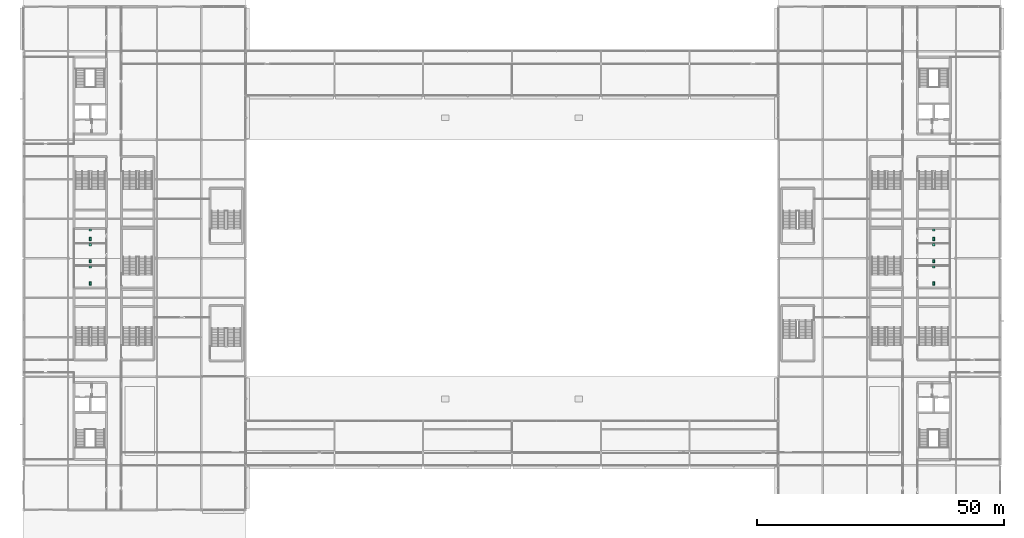
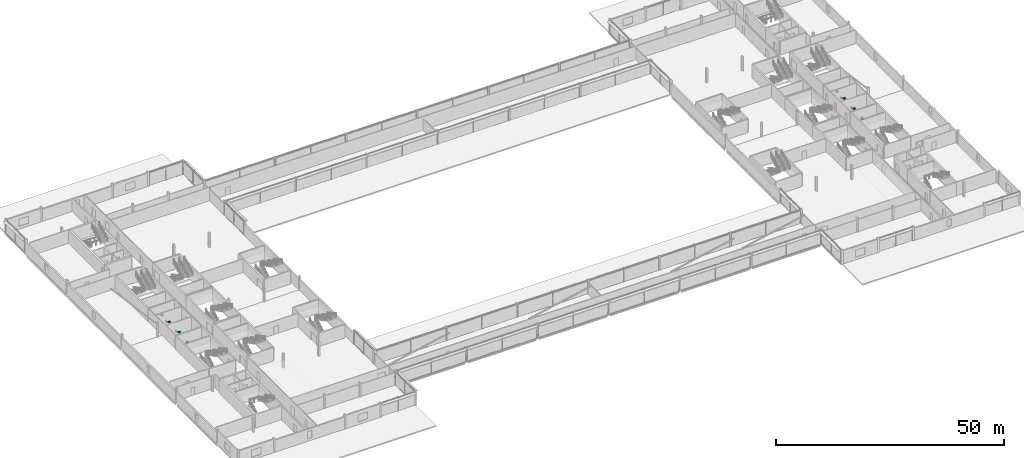
# One storey, part 105 of 105: 12 sanitary terminals.
"""IFC4 building model written with IfcOpenShell, lengths in metres."""

import ifcopenshell
import ifcopenshell.guid

model = None  # the IFC model being written
_history = None  # IfcOwnerHistory: only IFC2X3 demands one
_inside = {}  # id of a spatial element -> (the spatial element, [elements in it])
_under = {}  # id of a project, library or spatial element -> (it, [spatial elements below it])
_declared = {}  # id of a project -> (the project, [libraries it declares])
_typed = {}  # id of a type object -> (the type object, [elements of that type])
_made_of = {}  # id of a material, layer set ... -> (it, [elements and type objects made of it])


def new_model(schema):
    """Start an empty IFC model of exactly this schema.

    Asked for "IFC4X3", IfcOpenShell would pick the latest addendum, in which some entities
    have other attributes; the version numbers below select the first issue.
    IFC2X3 requires an IfcOwnerHistory on every rooted entity: one is made here for all.
    """
    global model, _history
    if schema == "IFC4X3":
        model = ifcopenshell.file(schema_version=(4, 3, 0, 0))
    else:
        model = ifcopenshell.file(schema=schema)
    _inside.clear()
    _under.clear()
    _declared.clear()
    _typed.clear()
    _made_of.clear()
    _history = None
    if model.schema == "IFC2X3":
        org = make("IfcOrganization", Name="unknown")
        user = make(
            "IfcPersonAndOrganization",
            ThePerson=make("IfcPerson", FamilyName="unknown"),
            TheOrganization=org,
        )
        app = make(
            "IfcApplication",
            ApplicationDeveloper=org,
            Version="unknown",
            ApplicationFullName="unknown",
            ApplicationIdentifier="unknown",
        )
        _history = make(
            "IfcOwnerHistory",
            OwningUser=user,
            OwningApplication=app,
            ChangeAction="ADDED",
            CreationDate=0,
        )
    return model


def make(cls, **values):
    """One entity of the class cls with the attributes given. An attribute that is None is left unset."""
    return model.create_entity(
        cls, **{name: value for name, value in values.items() if value is not None}
    )


def rooted(cls, **values):
    """An entity with a GlobalId (a new one), such as an element, a storey or a relation."""
    return make(cls, GlobalId=ifcopenshell.guid.new(), OwnerHistory=_history, **values)


def si_unit(unit_type, name, prefix=None):
    """IfcSIUnit, for example si_unit("LENGTHUNIT", "METRE", prefix="MILLI")."""
    return make("IfcSIUnit", UnitType=unit_type, Prefix=prefix, Name=name)


def assignment(units):
    """IfcUnitAssignment: the units of a project."""
    return None if units is None else make("IfcUnitAssignment", Units=units)


def point(xyz):
    """IfcCartesianPoint."""
    return None if xyz is None else make("IfcCartesianPoint", Coordinates=xyz)


def direction(xyz):
    """IfcDirection."""
    return None if xyz is None else make("IfcDirection", DirectionRatios=xyz)


def frame(location, z_axis=None, x_axis=None):
    """IfcAxis2Placement3D, a coordinate frame: its origin and axes. An axis left out is left unset."""
    return make(
        "IfcAxis2Placement3D",
        Location=point(location),
        Axis=direction(z_axis),
        RefDirection=direction(x_axis),
    )


def frame_2d(location, x_axis=None):
    """IfcAxis2Placement2D, a coordinate frame in the plane: its origin and x axis."""
    return make(
        "IfcAxis2Placement2D", Location=point(location), RefDirection=direction(x_axis)
    )


def origin():
    """The frame at (0, 0, 0) with its axes left unset."""
    return frame((0.0, 0.0, 0.0))


def origin_2d():
    """The frame at (0, 0) in the plane with its x axis left unset."""
    return frame_2d((0.0, 0.0))


def place(relative_to, where):
    """IfcLocalPlacement: puts the frame where relative to a parent placement (None: the world)."""
    return make(
        "IfcLocalPlacement", PlacementRelTo=relative_to, RelativePlacement=where
    )


def context(
    kind, dimensions, precision=None, world=None, true_north=None, identifier=None
):
    """IfcGeometricRepresentationContext, for example the 3D "Model" context."""
    return make(
        "IfcGeometricRepresentationContext",
        ContextIdentifier=identifier,
        ContextType=kind,
        CoordinateSpaceDimension=dimensions,
        Precision=precision,
        WorldCoordinateSystem=world,
        TrueNorth=true_north,
    )


def subcontext(parent, identifier, kind, view, scale=None):
    """IfcGeometricRepresentationSubContext, for example "Body" below "Model"."""
    return make(
        "IfcGeometricRepresentationSubContext",
        ContextIdentifier=identifier,
        ContextType=kind,
        ParentContext=parent,
        TargetScale=scale,
        TargetView=view,
    )


def project(units=None, contexts=None):
    """IfcProject with its units and contexts."""
    return rooted(
        "IfcProject",
        Name="project",
        RepresentationContexts=contexts,
        UnitsInContext=assignment(units),
    )


def spatial(cls, under=None, at=None, **own):
    """A site, building, storey or space (cls), placed at a placement, below another one or the project."""
    s = rooted(cls, ObjectPlacement=at, **own)
    if under is not None:
        _under.setdefault(under.id(), (under, []))[1].append(s)
    return s


def profile(cls, at=None, kind="AREA", **sizes):
    """A parametric profile (cls). Its sizes go by their IFC names, for example OverallWidth=200.0."""
    return make(cls, ProfileType=kind, Position=at, **sizes)


def rectangle(**sizes):
    """IfcRectangleProfileDef."""
    return profile("IfcRectangleProfileDef", **sizes)


def extrude(swept, where, along, depth):
    """IfcExtrudedAreaSolid: the profile swept, set in the frame where, extruded along a direction by depth."""
    return make(
        "IfcExtrudedAreaSolid",
        SweptArea=swept,
        Position=where,
        ExtrudedDirection=direction(along),
        Depth=depth,
    )


def shape(context_of_items, identifier, shape_type, items):
    """IfcShapeRepresentation: the items that make up one representation, for example the "Body"."""
    return make(
        "IfcShapeRepresentation",
        ContextOfItems=context_of_items,
        RepresentationIdentifier=identifier,
        RepresentationType=shape_type,
        Items=items,
    )


def material(Name=None, Category=None):
    """IfcMaterial."""
    return make("IfcMaterial", Name=Name, Category=Category)


def made_of(thing, what):
    """Note that an element or type object is made of a material, layer set ...; save() writes the relation."""
    if what is not None:
        _made_of.setdefault(what.id(), (what, []))[1].append(thing)
    return thing


def type_object(cls, material=None, **own):
    """A type object (cls), such as IfcWallType, which elements share."""
    return made_of(rooted(cls, **own), material)


def element(
    cls,
    number,
    at=None,
    inside=None,
    cuts=None,
    type_object=None,
    material=None,
    context=None,
    identifier="Body",
    shape_type=None,
    held_by="IfcProductDefinitionShape",
    body=None,
    shapes=None,
    **own,
):
    """One element of the class cls, such as IfcWall. Its Tag is "e" and its number.

    at: its placement. inside: the storey or other place that contains it. cuts: it is an
    opening in that element (IfcRelVoidsElement). A single representation is given by context,
    identifier, shape_type and body (its items); several are given by shapes. held_by: the class
    of the entity that holds the representations. save() writes the other relations.
    """
    e = rooted(cls, Tag="e%d" % number, ObjectPlacement=at, **own)
    if body is not None:
        shapes = [shape(context, identifier, shape_type, body)]
    if shapes is not None:
        e.Representation = make(held_by, Representations=shapes)
    if inside is not None:
        _inside.setdefault(inside.id(), (inside, []))[1].append(e)
    if cuts is not None:
        rooted(
            "IfcRelVoidsElement", RelatingBuildingElement=cuts, RelatedOpeningElement=e
        )
    if type_object is not None:
        _typed.setdefault(type_object.id(), (type_object, []))[1].append(e)
    return made_of(e, material)


def aggregate(whole, parts):
    """IfcRelAggregates: a whole, such as a stair, and the parts it consists of."""
    return rooted("IfcRelAggregates", RelatingObject=whole, RelatedObjects=parts)


def save(model, path):
    """Write the relations noted so far, then the file.

    IfcRelAggregates (storeys below a building ...), IfcRelContainedInSpatialStructure (elements
    in a storey), IfcRelDefinesByType, IfcRelAssociatesMaterial and IfcRelDeclares: one each for
    every whole, place, type object, material and project.
    """
    for whole, parts in _under.values():
        aggregate(whole, parts)
    for where, things in _inside.values():
        rooted(
            "IfcRelContainedInSpatialStructure",
            RelatedElements=things,
            RelatingStructure=where,
        )
    for kind, things in _typed.values():
        rooted("IfcRelDefinesByType", RelatedObjects=things, RelatingType=kind)
    for what, things in _made_of.values():
        rooted("IfcRelAssociatesMaterial", RelatedObjects=things, RelatingMaterial=what)
    for by, libraries in _declared.values():
        rooted("IfcRelDeclares", RelatingContext=by, RelatedDefinitions=libraries)
    model.write(path)


model = new_model("IFC4")

# Units and contexts
model_context = context("Model", 3, precision=1e-05, world=origin(), true_north=direction((0.0, 1.0)))
body_context = subcontext(model_context, "Body", "Model", "MODEL_VIEW")
ifc_project = project(units=[si_unit("LENGTHUNIT", "METRE"), si_unit("AREAUNIT", "SQUARE_METRE"), si_unit("VOLUMEUNIT", "CUBIC_METRE"), si_unit("PLANEANGLEUNIT", "RADIAN"), si_unit("MASSUNIT", "GRAM", prefix="KILO")], contexts=[model_context])

# Site, building, storey
site_placement = place(None, origin())
site = spatial("IfcSite", under=ifc_project, at=site_placement, CompositionType="ELEMENT")
building_placement = place(site_placement, origin())
building = spatial("IfcBuilding", under=site, at=building_placement, Name="Kisiwana Market Hall", CompositionType="ELEMENT")
storey_placement = place(building_placement, frame((0.0, 0.0, 21.60009765625)))
storey = spatial("IfcBuildingStorey", under=building, at=storey_placement, Name="L04", CompositionType="ELEMENT", Elevation=21.60009765625)

# Sanitary terminals
ifc_material_1 = material(Name="Vitreous china")
sanitary_terminal_type_1 = type_object("IfcSanitaryTerminalType", Name="SAN-BASIN", PredefinedType="WASHHANDBASIN", material=ifc_material_1)
for number, where, z_axis, x_axis, name in (
    (1, (13.5, 58.25, 0.6796875), (0.0, 0.0, 1.0), (1.0, 0.0, 0.0), "Washhand basin L04-0031"),
    (2, (13.5, 62.75, 0.6796875), (0.0, 0.0, 1.0), (1.0, 0.0, 0.0), "Washhand basin L04-0032"),
    (3, (13.5, 65.75, 0.6796875), (0.0, 0.0, 1.0), (1.0, 0.0, 0.0), "Washhand basin L04-0033"),
    (4, (184.5, 58.25, 0.6796875), (0.0, 0.0, 1.0), (1.0, 0.0, 0.0), "Washhand basin L04-0034"),
    (5, (184.5, 62.75, 0.6796875), (0.0, 0.0, 1.0), (1.0, 0.0, 0.0), "Washhand basin L04-0035"),
    (6, (184.5, 65.75, 0.6796875), (0.0, 0.0, 1.0), (1.0, 0.0, 0.0), "Washhand basin L04-0036"),
):
    element("IfcSanitaryTerminal", number, at=place(storey_placement, frame(where, z_axis=z_axis, x_axis=x_axis)), inside=storey, type_object=sanitary_terminal_type_1, Name=name, PredefinedType="WASHHANDBASIN", context=body_context, shape_type="SweptSolid", body=[
        extrude(rectangle(XDim=0.550048828125, YDim=0.449951171875, at=origin_2d()), origin(), (0.0, 0.0, 1.0), 0.199951171875),
    ])
ifc_material_2 = material(Name="Vitreous china")
sanitary_terminal_type_2 = type_object("IfcSanitaryTerminalType", Name="SAN-WC-PAN", PredefinedType="TOILETPAN", material=ifc_material_2)
for number, where, z_axis, x_axis, name in (
    (7, (13.5, 54.89990234375, 0.0), (0.0, 0.0, 1.0), (1.0, 0.0, 0.0), "WC pan L04-0031"),
    (8, (13.5, 59.39990234375, 0.0), (0.0, 0.0, 1.0), (1.0, 0.0, 0.0), "WC pan L04-0032"),
    (9, (13.5, 63.89990234375, 0.0), (0.0, 0.0, 1.0), (1.0, 0.0, 0.0), "WC pan L04-0033"),
    (10, (184.5, 54.89990234375, 0.0), (0.0, 0.0, 1.0), (1.0, 0.0, 0.0), "WC pan L04-0034"),
    (11, (184.5, 59.39990234375, 0.0), (0.0, 0.0, 1.0), (1.0, 0.0, 0.0), "WC pan L04-0035"),
    (12, (184.5, 63.89990234375, 0.0), (0.0, 0.0, 1.0), (1.0, 0.0, 0.0), "WC pan L04-0036"),
):
    element("IfcSanitaryTerminal", number, at=place(storey_placement, frame(where, z_axis=z_axis, x_axis=x_axis)), inside=storey, type_object=sanitary_terminal_type_2, Name=name, PredefinedType="TOILETPAN", context=body_context, shape_type="SweptSolid", body=[
        extrude(rectangle(XDim=0.39990234375, YDim=0.64990234375, at=origin_2d()), origin(), (0.0, 0.0, 1.0), 0.419921875),
    ])

save(model, "model.ifc")
